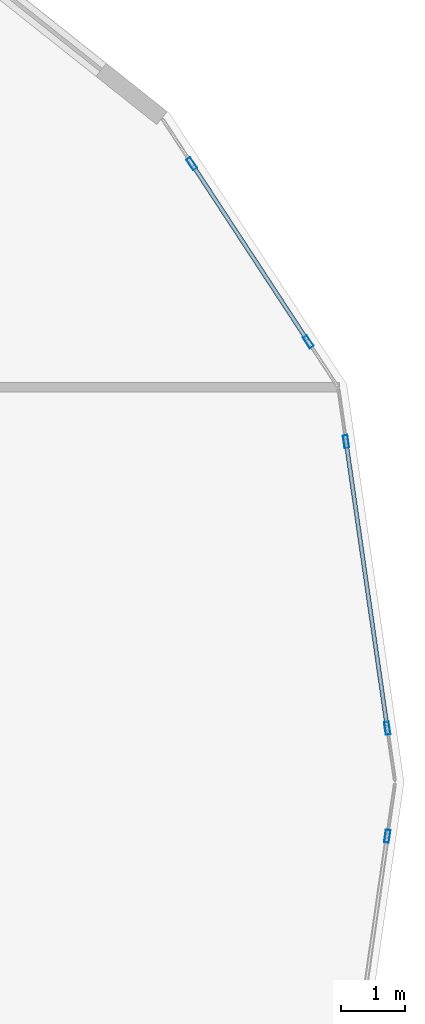
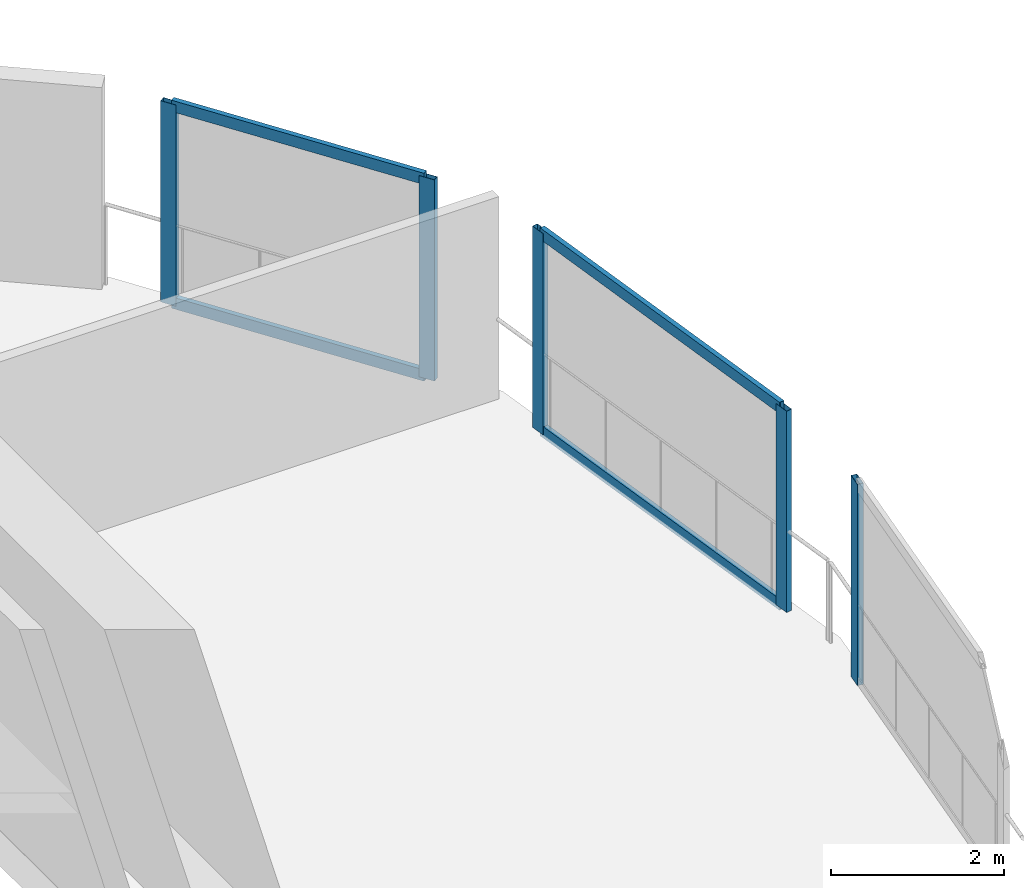
# One storey, part 5 of 15: 9 members, 3 elements without a shape of their own.
"""IFC4 building model written with IfcOpenShell, lengths in metres."""

import ifcopenshell
import ifcopenshell.guid

model = None  # the IFC model being written
_history = None  # IfcOwnerHistory: only IFC2X3 demands one
_inside = {}  # id of a spatial element -> (the spatial element, [elements in it])
_under = {}  # id of a project, library or spatial element -> (it, [spatial elements below it])
_declared = {}  # id of a project -> (the project, [libraries it declares])
_typed = {}  # id of a type object -> (the type object, [elements of that type])
_made_of = {}  # id of a material, layer set ... -> (it, [elements and type objects made of it])


def new_model(schema):
    """Start an empty IFC model of exactly this schema.

    Asked for "IFC4X3", IfcOpenShell would pick the latest addendum, in which some entities
    have other attributes; the version numbers below select the first issue.
    IFC2X3 requires an IfcOwnerHistory on every rooted entity: one is made here for all.
    """
    global model, _history
    if schema == "IFC4X3":
        model = ifcopenshell.file(schema_version=(4, 3, 0, 0))
    else:
        model = ifcopenshell.file(schema=schema)
    _inside.clear()
    _under.clear()
    _declared.clear()
    _typed.clear()
    _made_of.clear()
    _history = None
    if model.schema == "IFC2X3":
        org = make("IfcOrganization", Name="unknown")
        user = make(
            "IfcPersonAndOrganization",
            ThePerson=make("IfcPerson", FamilyName="unknown"),
            TheOrganization=org,
        )
        app = make(
            "IfcApplication",
            ApplicationDeveloper=org,
            Version="unknown",
            ApplicationFullName="unknown",
            ApplicationIdentifier="unknown",
        )
        _history = make(
            "IfcOwnerHistory",
            OwningUser=user,
            OwningApplication=app,
            ChangeAction="ADDED",
            CreationDate=0,
        )
    return model


def make(cls, **values):
    """One entity of the class cls with the attributes given. An attribute that is None is left unset."""
    return model.create_entity(
        cls, **{name: value for name, value in values.items() if value is not None}
    )


def rooted(cls, **values):
    """An entity with a GlobalId (a new one), such as an element, a storey or a relation."""
    return make(cls, GlobalId=ifcopenshell.guid.new(), OwnerHistory=_history, **values)


def si_unit(unit_type, name, prefix=None):
    """IfcSIUnit, for example si_unit("LENGTHUNIT", "METRE", prefix="MILLI")."""
    return make("IfcSIUnit", UnitType=unit_type, Prefix=prefix, Name=name)


def assignment(units):
    """IfcUnitAssignment: the units of a project."""
    return None if units is None else make("IfcUnitAssignment", Units=units)


def point(xyz):
    """IfcCartesianPoint."""
    return None if xyz is None else make("IfcCartesianPoint", Coordinates=xyz)


def direction(xyz):
    """IfcDirection."""
    return None if xyz is None else make("IfcDirection", DirectionRatios=xyz)


def frame(location, z_axis=None, x_axis=None):
    """IfcAxis2Placement3D, a coordinate frame: its origin and axes. An axis left out is left unset."""
    return make(
        "IfcAxis2Placement3D",
        Location=point(location),
        Axis=direction(z_axis),
        RefDirection=direction(x_axis),
    )


def frame_2d(location, x_axis=None):
    """IfcAxis2Placement2D, a coordinate frame in the plane: its origin and x axis."""
    return make(
        "IfcAxis2Placement2D", Location=point(location), RefDirection=direction(x_axis)
    )


def origin():
    """The frame at (0, 0, 0) with its axes left unset."""
    return frame((0.0, 0.0, 0.0))


def origin_2d():
    """The frame at (0, 0) in the plane with its x axis left unset."""
    return frame_2d((0.0, 0.0))


def place(relative_to, where):
    """IfcLocalPlacement: puts the frame where relative to a parent placement (None: the world)."""
    return make(
        "IfcLocalPlacement", PlacementRelTo=relative_to, RelativePlacement=where
    )


def context(
    kind, dimensions, precision=None, world=None, true_north=None, identifier=None
):
    """IfcGeometricRepresentationContext, for example the 3D "Model" context."""
    return make(
        "IfcGeometricRepresentationContext",
        ContextIdentifier=identifier,
        ContextType=kind,
        CoordinateSpaceDimension=dimensions,
        Precision=precision,
        WorldCoordinateSystem=world,
        TrueNorth=true_north,
    )


def subcontext(parent, identifier, kind, view, scale=None):
    """IfcGeometricRepresentationSubContext, for example "Body" below "Model"."""
    return make(
        "IfcGeometricRepresentationSubContext",
        ContextIdentifier=identifier,
        ContextType=kind,
        ParentContext=parent,
        TargetScale=scale,
        TargetView=view,
    )


def project(units=None, contexts=None):
    """IfcProject with its units and contexts."""
    return rooted(
        "IfcProject",
        Name="project",
        RepresentationContexts=contexts,
        UnitsInContext=assignment(units),
    )


def spatial(cls, under=None, at=None, **own):
    """A site, building, storey or space (cls), placed at a placement, below another one or the project."""
    s = rooted(cls, ObjectPlacement=at, **own)
    if under is not None:
        _under.setdefault(under.id(), (under, []))[1].append(s)
    return s


def profile(cls, at=None, kind="AREA", **sizes):
    """A parametric profile (cls). Its sizes go by their IFC names, for example OverallWidth=200.0."""
    return make(cls, ProfileType=kind, Position=at, **sizes)


def hollow_rectangle(**sizes):
    """IfcRectangleHollowProfileDef."""
    return profile("IfcRectangleHollowProfileDef", **sizes)


def extrude(swept, where, along, depth):
    """IfcExtrudedAreaSolid: the profile swept, set in the frame where, extruded along a direction by depth."""
    return make(
        "IfcExtrudedAreaSolid",
        SweptArea=swept,
        Position=where,
        ExtrudedDirection=direction(along),
        Depth=depth,
    )


def shape(context_of_items, identifier, shape_type, items):
    """IfcShapeRepresentation: the items that make up one representation, for example the "Body"."""
    return make(
        "IfcShapeRepresentation",
        ContextOfItems=context_of_items,
        RepresentationIdentifier=identifier,
        RepresentationType=shape_type,
        Items=items,
    )


def material(Name=None, Category=None):
    """IfcMaterial."""
    return make("IfcMaterial", Name=Name, Category=Category)


def layer(
    of_material, thickness, ventilated=None, Name=None, Category=None, Priority=None
):
    """IfcMaterialLayer: one layer of a wall or slab, of a material (None: an air gap)."""
    return make(
        "IfcMaterialLayer",
        Material=of_material,
        LayerThickness=thickness,
        IsVentilated=ventilated,
        Name=Name,
        Category=Category,
        Priority=Priority,
    )


def layer_set(layers, Name=None):
    """IfcMaterialLayerSet."""
    return make("IfcMaterialLayerSet", MaterialLayers=layers, LayerSetName=Name)


def material_profile(
    of_material, cross_section, Name=None, Category=None, Priority=None
):
    """IfcMaterialProfile: a cross section and its material."""
    return make(
        "IfcMaterialProfile",
        Name=Name,
        Material=of_material,
        Profile=cross_section,
        Priority=Priority,
        Category=Category,
    )


def profile_set(profiles, Name=None, composite=None):
    """IfcMaterialProfileSet."""
    return make(
        "IfcMaterialProfileSet",
        Name=Name,
        MaterialProfiles=profiles,
        CompositeProfile=composite,
    )


def made_of(thing, what):
    """Note that an element or type object is made of a material, layer set ...; save() writes the relation."""
    if what is not None:
        _made_of.setdefault(what.id(), (what, []))[1].append(thing)
    return thing


def type_object(cls, material=None, **own):
    """A type object (cls), such as IfcWallType, which elements share."""
    return made_of(rooted(cls, **own), material)


def element(
    cls,
    number,
    at=None,
    inside=None,
    cuts=None,
    type_object=None,
    material=None,
    context=None,
    identifier="Body",
    shape_type=None,
    held_by="IfcProductDefinitionShape",
    body=None,
    shapes=None,
    **own,
):
    """One element of the class cls, such as IfcWall. Its Tag is "e" and its number.

    at: its placement. inside: the storey or other place that contains it. cuts: it is an
    opening in that element (IfcRelVoidsElement). A single representation is given by context,
    identifier, shape_type and body (its items); several are given by shapes. held_by: the class
    of the entity that holds the representations. save() writes the other relations.
    """
    e = rooted(cls, Tag="e%d" % number, ObjectPlacement=at, **own)
    if body is not None:
        shapes = [shape(context, identifier, shape_type, body)]
    if shapes is not None:
        e.Representation = make(held_by, Representations=shapes)
    if inside is not None:
        _inside.setdefault(inside.id(), (inside, []))[1].append(e)
    if cuts is not None:
        rooted(
            "IfcRelVoidsElement", RelatingBuildingElement=cuts, RelatedOpeningElement=e
        )
    if type_object is not None:
        _typed.setdefault(type_object.id(), (type_object, []))[1].append(e)
    return made_of(e, material)


def aggregate(whole, parts):
    """IfcRelAggregates: a whole, such as a stair, and the parts it consists of."""
    return rooted("IfcRelAggregates", RelatingObject=whole, RelatedObjects=parts)


def save(model, path):
    """Write the relations noted so far, then the file.

    IfcRelAggregates (storeys below a building ...), IfcRelContainedInSpatialStructure (elements
    in a storey), IfcRelDefinesByType, IfcRelAssociatesMaterial and IfcRelDeclares: one each for
    every whole, place, type object, material and project.
    """
    for whole, parts in _under.values():
        aggregate(whole, parts)
    for where, things in _inside.values():
        rooted(
            "IfcRelContainedInSpatialStructure",
            RelatedElements=things,
            RelatingStructure=where,
        )
    for kind, things in _typed.values():
        rooted("IfcRelDefinesByType", RelatedObjects=things, RelatingType=kind)
    for what, things in _made_of.values():
        rooted("IfcRelAssociatesMaterial", RelatedObjects=things, RelatingMaterial=what)
    for by, libraries in _declared.values():
        rooted("IfcRelDeclares", RelatingContext=by, RelatedDefinitions=libraries)
    model.write(path)


model = new_model("IFC4")

# Units and contexts
model_context = context("Model", 3, precision=1e-05, world=origin(), true_north=direction((0.0, 1.0)))
body_context = subcontext(model_context, "Body", "Model", "MODEL_VIEW")
ifc_project = project(units=[si_unit("LENGTHUNIT", "METRE"), si_unit("AREAUNIT", "SQUARE_METRE"), si_unit("VOLUMEUNIT", "CUBIC_METRE"), si_unit("PLANEANGLEUNIT", "RADIAN"), si_unit("MASSUNIT", "GRAM", prefix="KILO")], contexts=[model_context])

# Site, building, storey
site_placement = place(None, origin())
site = spatial("IfcSite", under=ifc_project, at=site_placement, CompositionType="ELEMENT")
building_placement = place(site_placement, origin())
building = spatial("IfcBuilding", under=site, at=building_placement, Name="Solvane Sanctuary Tower", CompositionType="ELEMENT")
storey_placement = place(building_placement, frame((0.0, 0.0, 46.199951171875)))
storey = spatial("IfcBuildingStorey", under=building, at=storey_placement, Name="L13", CompositionType="ELEMENT", Elevation=46.199951171875)

# Curtain wall, members
ifc_material = material(Name="Anodised Aluminium 6063-T6", Category="aluminium")
ifc_layer = layer(ifc_material, 0.2099609375, Name="Anodised Aluminium 6063-T6")
ifc_layer_set = layer_set([ifc_layer], Name="Anodised Aluminium 6063-T6")
curtain_wall_type = type_object("IfcCurtainWallType", Name="Curtain Wall CW-PORTAL", PredefinedType="NOTDEFINED", material=ifc_layer_set)
curtain_wall_1_placement = place(storey_placement, origin())
curtain_wall_1 = element("IfcCurtainWall", 1, at=curtain_wall_1_placement, inside=storey, type_object=curtain_wall_type, Name="L13 CW-PORTAL Facade Run 00", PredefinedType="NOTDEFINED")
ifc_material_profile_1 = material_profile(ifc_material, hollow_rectangle(XDim=0.074951171875, YDim=0.199951171875, WallThickness=0.00390625, at=origin_2d()), Name="ALU200X75X4")
ifc_profile_set_1 = profile_set([ifc_material_profile_1], Name="Anodised Aluminium 6063-T6")
member_type_1 = type_object("IfcMemberType", Name="Member M-CW-MUL-1 ALU200X75X4", PredefinedType="MULLION", material=ifc_profile_set_1)
member_1_placement = place(storey_placement, frame((57.73779296875, 23.8486328125, 0.0), z_axis=(0.0, 0.0, 1.0), x_axis=(-0.989794236162, -0.142503929979, 0.0)))
member_1 = element("IfcMember", 2, at=member_1_placement, type_object=member_type_1, Name="CW-PORTAL mullion 1", PredefinedType="MULLION", context=body_context, shape_type="SweptSolid", body=[
    extrude(hollow_rectangle(XDim=0.074951171875, YDim=0.199951171875, WallThickness=0.00390625, at=origin_2d()), origin(), (0.0, 0.0, 1.0), 2.840087890625),
])
member_2_placement = place(storey_placement, frame((57.088623046875, 28.356689453125, 0.0), z_axis=(0.0, 0.0, 1.0), x_axis=(-0.989794236162, -0.142503929979, 0.0)))
member_2 = element("IfcMember", 3, at=member_2_placement, type_object=member_type_1, Name="CW-PORTAL mullion 2", PredefinedType="MULLION", context=body_context, shape_type="SweptSolid", body=[
    extrude(hollow_rectangle(XDim=0.074951171875, YDim=0.199951171875, WallThickness=0.00390625, at=origin_2d()), origin(), (0.0, 0.0, 1.0), 2.840087890625),
])

curtain_wall_2_placement = place(storey_placement, origin())
curtain_wall_2 = element("IfcCurtainWall", 4, at=curtain_wall_2_placement, inside=storey, type_object=curtain_wall_type, Name="L13 CW-PORTAL Facade Run 01", PredefinedType="NOTDEFINED")
member_3_placement = place(storey_placement, frame((56.496826171875, 29.9228515625, 0.0), z_axis=(0.0, 0.0, 1.0), x_axis=(-0.836673521159, -0.547701943571, 0.0)))
member_3 = element("IfcMember", 5, at=member_3_placement, type_object=member_type_1, Name="CW-PORTAL mullion 1", PredefinedType="MULLION", context=body_context, shape_type="SweptSolid", body=[
    extrude(hollow_rectangle(XDim=0.074951171875, YDim=0.199951171875, WallThickness=0.00390625, at=origin_2d()), origin(), (0.0, 0.0, 1.0), 2.840087890625),
])
member_4_placement = place(storey_placement, frame((54.663330078125, 32.7236328125, 0.0), z_axis=(0.0, 0.0, 1.0), x_axis=(-0.836673521159, -0.547701943571, 0.0)))
member_4 = element("IfcMember", 6, at=member_4_placement, type_object=member_type_1, Name="CW-PORTAL mullion 2", PredefinedType="MULLION", context=body_context, shape_type="SweptSolid", body=[
    extrude(hollow_rectangle(XDim=0.074951171875, YDim=0.199951171875, WallThickness=0.00390625, at=origin_2d()), origin(), (0.0, 0.0, 1.0), 2.840087890625),
])

# Curtain wall, member
curtain_wall_3_placement = place(storey_placement, origin())
curtain_wall_3 = element("IfcCurtainWall", 7, at=curtain_wall_3_placement, inside=storey, type_object=curtain_wall_type, Name="L13 CW-PORTAL Facade Run 23", PredefinedType="NOTDEFINED")
member_5_placement = place(storey_placement, frame((57.73779296875, 22.1513671875, 0.0), z_axis=(0.0, 0.0, 1.0), x_axis=(-0.989794236162, 0.142503929979, 0.0)))
member_5 = element("IfcMember", 8, at=member_5_placement, type_object=member_type_1, Name="CW-PORTAL mullion 2", PredefinedType="MULLION", context=body_context, shape_type="SweptSolid", body=[
    extrude(hollow_rectangle(XDim=0.074951171875, YDim=0.199951171875, WallThickness=0.00390625, at=origin_2d()), origin(), (0.0, 0.0, 1.0), 2.840087890625),
])
aggregate(curtain_wall_3, [member_5])

# Member
ifc_material_profile_2 = material_profile(ifc_material, hollow_rectangle(XDim=0.06494140625, YDim=0.159912109375, WallThickness=0.00341796875, at=origin_2d()), Name="ALU160X65X3.5")
ifc_profile_set_2 = profile_set([ifc_material_profile_2], Name="Anodised Aluminium 6063-T6")
member_type_2 = type_object("IfcMemberType", Name="Member M-CW-TRN-1 ALU160X65X3.5", PredefinedType="USERDEFINED", material=ifc_profile_set_2)
member_6_placement = place(storey_placement, frame((57.732421875, 23.8857421875, 0.032470703125), z_axis=(-0.14252000847, 0.989791921156, 0.0), x_axis=(-0.989791921156, -0.14252000847, 0.0)))
member_6 = element("IfcMember", 9, at=member_6_placement, type_object=member_type_2, Name="CW-PORTAL transom 1.1", ObjectType="TRANSOM", PredefinedType="USERDEFINED", context=body_context, shape_type="SweptSolid", body=[
    extrude(hollow_rectangle(XDim=0.06494140625, YDim=0.159912109375, WallThickness=0.00341796875, at=origin_2d()), origin(), (0.0, 0.0, 1.0), 4.4794921875),
])

member_7_placement = place(storey_placement, frame((57.732421875, 23.8857421875, 2.8076171875), z_axis=(-0.14252000847, 0.989791921156, 0.0), x_axis=(-0.989791921156, -0.14252000847, 0.0)))
member_7 = element("IfcMember", 10, at=member_7_placement, type_object=member_type_2, Name="CW-PORTAL transom 1.2", ObjectType="TRANSOM", PredefinedType="USERDEFINED", context=body_context, shape_type="SweptSolid", body=[
    extrude(hollow_rectangle(XDim=0.06494140625, YDim=0.159912109375, WallThickness=0.00341796875, at=origin_2d()), origin(), (0.0, 0.0, 1.0), 4.4794921875),
])

aggregate(curtain_wall_1, [member_1, member_2, member_6, member_7])

member_8_placement = place(storey_placement, frame((56.476318359375, 29.9541015625, 0.032470703125), z_axis=(-0.547673418751, 0.836692193338, 0.0), x_axis=(-0.836692193338, -0.547673418751, 0.0)))
member_8 = element("IfcMember", 11, at=member_8_placement, type_object=member_type_2, Name="CW-PORTAL transom 1.1", ObjectType="TRANSOM", PredefinedType="USERDEFINED", context=body_context, shape_type="SweptSolid", body=[
    extrude(hollow_rectangle(XDim=0.06494140625, YDim=0.159912109375, WallThickness=0.00341796875, at=origin_2d()), origin(), (0.0, 0.0, 1.0), 3.2724609375),
])

member_9_placement = place(storey_placement, frame((56.476318359375, 29.9541015625, 2.8076171875), z_axis=(-0.547673418751, 0.836692193338, 0.0), x_axis=(-0.836692193338, -0.547673418751, 0.0)))
member_9 = element("IfcMember", 12, at=member_9_placement, type_object=member_type_2, Name="CW-PORTAL transom 1.2", ObjectType="TRANSOM", PredefinedType="USERDEFINED", context=body_context, shape_type="SweptSolid", body=[
    extrude(hollow_rectangle(XDim=0.06494140625, YDim=0.159912109375, WallThickness=0.00341796875, at=origin_2d()), origin(), (0.0, 0.0, 1.0), 3.2724609375),
])

aggregate(curtain_wall_2, [member_3, member_4, member_8, member_9])

save(model, "model.ifc")
